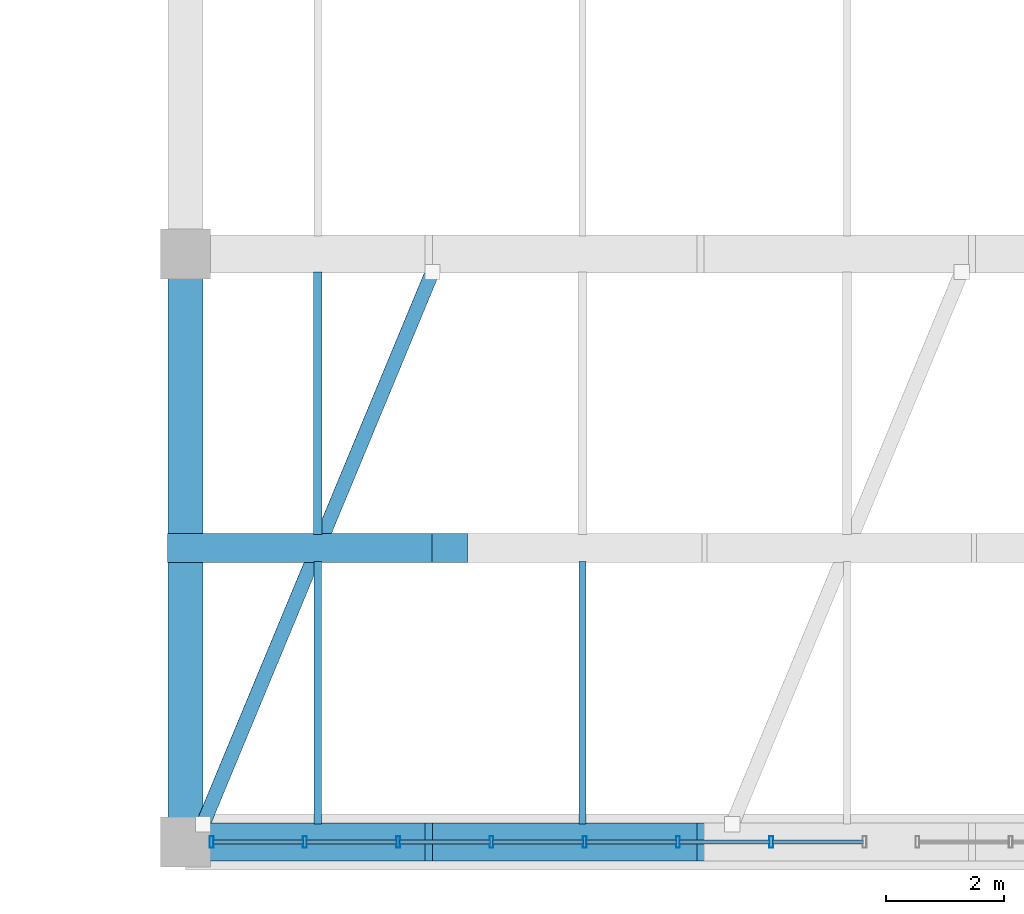
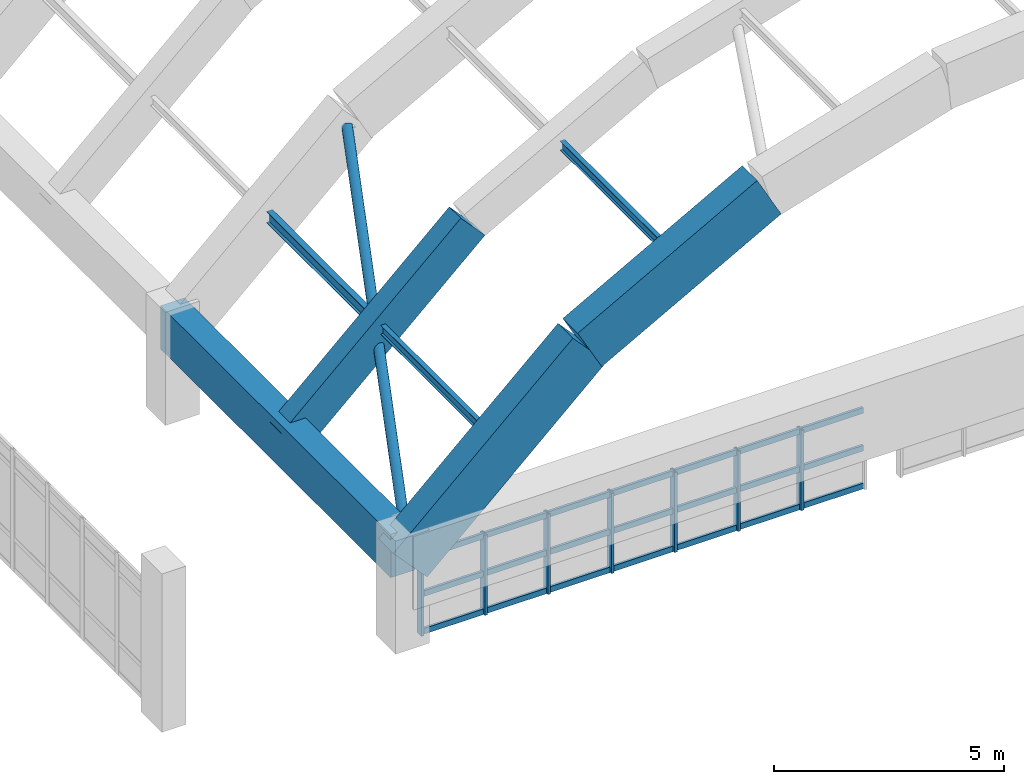
# One storey, part 61 of 111: 32 members, 4 beams, 1 element without a shape of its own.
"""IFC4 building model written with IfcOpenShell, lengths in metres."""

from ifc_helpers import new_model, si_unit, direction, frame, origin, origin_2d, place, context, subcontext, project, spatial, rectangle, hollow_rectangle, hollow_circle, i_section, extrude, material, layer, layer_set, material_profile, profile_set, type_object, element, aggregate, save


model = new_model("IFC4")

# Units and contexts
model_context = context("Model", 3, precision=1e-05, world=origin(), true_north=direction((0.0, 1.0)))
body_context = subcontext(model_context, "Body", "Model", "MODEL_VIEW")
ifc_project = project(units=[si_unit("LENGTHUNIT", "METRE"), si_unit("AREAUNIT", "SQUARE_METRE"), si_unit("VOLUMEUNIT", "CUBIC_METRE"), si_unit("PLANEANGLEUNIT", "RADIAN"), si_unit("MASSUNIT", "GRAM", prefix="KILO")], contexts=[model_context])

# Site, building, storey
site_placement = place(None, origin())
site = spatial("IfcSite", under=ifc_project, at=site_placement, CompositionType="ELEMENT")
building_placement = place(site_placement, origin())
building = spatial("IfcBuilding", under=site, at=building_placement, Name="Mersad Railyard Sports Hall", CompositionType="ELEMENT")
storey_placement = place(building_placement, frame((0.0, 0.0, 9.0)))
storey = spatial("IfcBuildingStorey", under=building, at=storey_placement, Name="L02", CompositionType="ELEMENT", Elevation=9.0)

# Curtain wall, members
ifc_material_1 = material(Name="Aluminium 6063-T6", Category="aluminium")
ifc_layer = layer(ifc_material_1, 0.199951171875)
ifc_layer_set = layer_set([ifc_layer], Name="Aluminium 6063-T6")
curtain_wall_type = type_object("IfcCurtainWallType", Name="ARC-CW-CW11", PredefinedType="USERDEFINED", material=ifc_layer_set)
curtain_wall_placement = place(storey_placement, origin())
curtain_wall = element("IfcCurtainWall", 1, at=curtain_wall_placement, inside=storey, type_object=curtain_wall_type, Name="Curtain wall CW11-0038", ObjectType="CURTAIN WALL", PredefinedType="USERDEFINED")
ifc_material_profile_1 = material_profile(ifc_material_1, hollow_rectangle(XDim=0.06494140625, YDim=0.199951171875, WallThickness=0.0048828125, at=origin_2d()), Name="AL MULLION 65x200x5")
ifc_profile_set_1 = profile_set([ifc_material_profile_1], Name="Aluminium 6063-T6")
member_type_1 = type_object("IfcMemberType", Name="ARC-CW-MUL02", PredefinedType="MULLION", material=ifc_profile_set_1)
member_1_placement = place(storey_placement, frame((146.963623046875, 3.5, -0.02001953125), z_axis=(0.0, 0.0, 1.0), x_axis=(1.0, 0.0, 0.0)))
member_1 = element("IfcMember", 2, at=member_1_placement, type_object=member_type_1, Name="CW11 Mullion 2", PredefinedType="MULLION", context=body_context, shape_type="SweptSolid", body=[
    extrude(hollow_rectangle(XDim=0.06494140625, YDim=0.199951171875, WallThickness=0.0048828125, at=origin_2d()), origin(), (0.0, 0.0, 1.0), 2.1201171875),
])
member_2_placement = place(storey_placement, frame((145.377197265625, 3.5, -0.02001953125), z_axis=(0.0, 0.0, 1.0), x_axis=(1.0, 0.0, 0.0)))
member_2 = element("IfcMember", 3, at=member_2_placement, type_object=member_type_1, Name="CW11 Mullion 3", PredefinedType="MULLION", context=body_context, shape_type="SweptSolid", body=[
    extrude(hollow_rectangle(XDim=0.06494140625, YDim=0.199951171875, WallThickness=0.0048828125, at=origin_2d()), origin(), (0.0, 0.0, 1.0), 2.1201171875),
])
member_3_placement = place(storey_placement, frame((143.790771484375, 3.5, -0.02001953125), z_axis=(0.0, 0.0, 1.0), x_axis=(1.0, 0.0, 0.0)))
member_3 = element("IfcMember", 4, at=member_3_placement, type_object=member_type_1, Name="CW11 Mullion 4", PredefinedType="MULLION", context=body_context, shape_type="SweptSolid", body=[
    extrude(hollow_rectangle(XDim=0.06494140625, YDim=0.199951171875, WallThickness=0.0048828125, at=origin_2d()), origin(), (0.0, 0.0, 1.0), 2.1201171875),
])
member_4_placement = place(storey_placement, frame((142.204345703125, 3.5, -0.02001953125), z_axis=(0.0, 0.0, 1.0), x_axis=(1.0, 0.0, 0.0)))
member_4 = element("IfcMember", 5, at=member_4_placement, type_object=member_type_1, Name="CW11 Mullion 5", PredefinedType="MULLION", context=body_context, shape_type="SweptSolid", body=[
    extrude(hollow_rectangle(XDim=0.06494140625, YDim=0.199951171875, WallThickness=0.0048828125, at=origin_2d()), origin(), (0.0, 0.0, 1.0), 2.1201171875),
])
member_5_placement = place(storey_placement, frame((140.617919921875, 3.5, -0.02001953125), z_axis=(0.0, 0.0, 1.0), x_axis=(1.0, 0.0, 0.0)))
member_5 = element("IfcMember", 6, at=member_5_placement, type_object=member_type_1, Name="CW11 Mullion 6", PredefinedType="MULLION", context=body_context, shape_type="SweptSolid", body=[
    extrude(hollow_rectangle(XDim=0.06494140625, YDim=0.199951171875, WallThickness=0.0048828125, at=origin_2d()), origin(), (0.0, 0.0, 1.0), 2.1201171875),
])
member_6_placement = place(storey_placement, frame((139.031494140625, 3.5, -0.02001953125), z_axis=(0.0, 0.0, 1.0), x_axis=(1.0, 0.0, 0.0)))
member_6 = element("IfcMember", 7, at=member_6_placement, type_object=member_type_1, Name="CW11 Mullion 7", PredefinedType="MULLION", context=body_context, shape_type="SweptSolid", body=[
    extrude(hollow_rectangle(XDim=0.06494140625, YDim=0.199951171875, WallThickness=0.0048828125, at=origin_2d()), origin(), (0.0, 0.0, 1.0), 2.1201171875),
])
member_7_placement = place(storey_placement, frame((137.445068359375, 3.5, -0.02001953125), z_axis=(0.0, 0.0, 1.0), x_axis=(1.0, 0.0, 0.0)))
member_7 = element("IfcMember", 8, at=member_7_placement, type_object=member_type_1, Name="CW11 Mullion 8", PredefinedType="MULLION", context=body_context, shape_type="SweptSolid", body=[
    extrude(hollow_rectangle(XDim=0.06494140625, YDim=0.199951171875, WallThickness=0.0048828125, at=origin_2d()), origin(), (0.0, 0.0, 1.0), 2.1201171875),
])
ifc_material_profile_2 = material_profile(ifc_material_1, hollow_rectangle(XDim=0.06494140625, YDim=0.14990234375, WallThickness=0.00439453125, at=origin_2d()), Name="AL TRANSOM 65x150x4.5")
ifc_profile_set_2 = profile_set([ifc_material_profile_2], Name="Aluminium 6063-T6")
member_type_2 = type_object("IfcMemberType", Name="ARC-CW-TRN02", PredefinedType="USERDEFINED", material=ifc_profile_set_2)
member_8_placement = place(storey_placement, frame((148.530029296875, 3.5, 0.0400390625), z_axis=(-1.0, 0.0, 0.0), x_axis=(0.0, -1.0, 0.0)))
member_8 = element("IfcMember", 9, at=member_8_placement, type_object=member_type_2, Name="CW11 Transom 1-1", ObjectType="TRANSOM", PredefinedType="USERDEFINED", context=body_context, shape_type="SweptSolid", body=[
    extrude(hollow_rectangle(XDim=0.06494140625, YDim=0.14990234375, WallThickness=0.00439453125, at=origin_2d()), origin(), (0.0, 0.0, 1.0), 1.54638671875),
])
member_9_placement = place(storey_placement, frame((146.943603515625, 3.5, 0.0400390625), z_axis=(-1.0, 0.0, 0.0), x_axis=(0.0, -1.0, 0.0)))
member_9 = element("IfcMember", 10, at=member_9_placement, type_object=member_type_2, Name="CW11 Transom 1-2", ObjectType="TRANSOM", PredefinedType="USERDEFINED", context=body_context, shape_type="SweptSolid", body=[
    extrude(hollow_rectangle(XDim=0.06494140625, YDim=0.14990234375, WallThickness=0.00439453125, at=origin_2d()), origin(), (0.0, 0.0, 1.0), 1.54638671875),
])
member_10_placement = place(storey_placement, frame((145.357177734375, 3.5, 0.0400390625), z_axis=(-1.0, 0.0, 0.0), x_axis=(0.0, -1.0, 0.0)))
member_10 = element("IfcMember", 11, at=member_10_placement, type_object=member_type_2, Name="CW11 Transom 1-3", ObjectType="TRANSOM", PredefinedType="USERDEFINED", context=body_context, shape_type="SweptSolid", body=[
    extrude(hollow_rectangle(XDim=0.06494140625, YDim=0.14990234375, WallThickness=0.00439453125, at=origin_2d()), origin(), (0.0, 0.0, 1.0), 1.54638671875),
])
member_11_placement = place(storey_placement, frame((143.770751953125, 3.5, 0.0400390625), z_axis=(-1.0, 0.0, 0.0), x_axis=(0.0, -1.0, 0.0)))
member_11 = element("IfcMember", 12, at=member_11_placement, type_object=member_type_2, Name="CW11 Transom 1-4", ObjectType="TRANSOM", PredefinedType="USERDEFINED", context=body_context, shape_type="SweptSolid", body=[
    extrude(hollow_rectangle(XDim=0.06494140625, YDim=0.14990234375, WallThickness=0.00439453125, at=origin_2d()), origin(), (0.0, 0.0, 1.0), 1.54638671875),
])
member_12_placement = place(storey_placement, frame((142.184326171875, 3.5, 0.0400390625), z_axis=(-1.0, 0.0, 0.0), x_axis=(0.0, -1.0, 0.0)))
member_12 = element("IfcMember", 13, at=member_12_placement, type_object=member_type_2, Name="CW11 Transom 1-5", ObjectType="TRANSOM", PredefinedType="USERDEFINED", context=body_context, shape_type="SweptSolid", body=[
    extrude(hollow_rectangle(XDim=0.06494140625, YDim=0.14990234375, WallThickness=0.00439453125, at=origin_2d()), origin(), (0.0, 0.0, 1.0), 1.54638671875),
])
member_13_placement = place(storey_placement, frame((140.597900390625, 3.5, 0.0400390625), z_axis=(-1.0, 0.0, 0.0), x_axis=(0.0, -1.0, 0.0)))
member_13 = element("IfcMember", 14, at=member_13_placement, type_object=member_type_2, Name="CW11 Transom 1-6", ObjectType="TRANSOM", PredefinedType="USERDEFINED", context=body_context, shape_type="SweptSolid", body=[
    extrude(hollow_rectangle(XDim=0.06494140625, YDim=0.14990234375, WallThickness=0.00439453125, at=origin_2d()), origin(), (0.0, 0.0, 1.0), 1.54638671875),
])
member_14_placement = place(storey_placement, frame((139.011474609375, 3.5, 0.0400390625), z_axis=(-1.0, 0.0, 0.0), x_axis=(0.0, -1.0, 0.0)))
member_14 = element("IfcMember", 15, at=member_14_placement, type_object=member_type_2, Name="CW11 Transom 1-7", ObjectType="TRANSOM", PredefinedType="USERDEFINED", context=body_context, shape_type="SweptSolid", body=[
    extrude(hollow_rectangle(XDim=0.06494140625, YDim=0.14990234375, WallThickness=0.00439453125, at=origin_2d()), origin(), (0.0, 0.0, 1.0), 1.54638671875),
])
member_15_placement = place(storey_placement, frame((148.530029296875, 3.5, 1.0400390625), z_axis=(-1.0, 0.0, 0.0), x_axis=(0.0, -1.0, 0.0)))
member_15 = element("IfcMember", 16, at=member_15_placement, type_object=member_type_2, Name="CW11 Transom 2-1", ObjectType="TRANSOM", PredefinedType="USERDEFINED", context=body_context, shape_type="SweptSolid", body=[
    extrude(hollow_rectangle(XDim=0.06494140625, YDim=0.14990234375, WallThickness=0.00439453125, at=origin_2d()), origin(), (0.0, 0.0, 1.0), 1.54638671875),
])
member_16_placement = place(storey_placement, frame((146.943603515625, 3.5, 1.0400390625), z_axis=(-1.0, 0.0, 0.0), x_axis=(0.0, -1.0, 0.0)))
member_16 = element("IfcMember", 17, at=member_16_placement, type_object=member_type_2, Name="CW11 Transom 2-2", ObjectType="TRANSOM", PredefinedType="USERDEFINED", context=body_context, shape_type="SweptSolid", body=[
    extrude(hollow_rectangle(XDim=0.06494140625, YDim=0.14990234375, WallThickness=0.00439453125, at=origin_2d()), origin(), (0.0, 0.0, 1.0), 1.54638671875),
])
member_17_placement = place(storey_placement, frame((145.357177734375, 3.5, 1.0400390625), z_axis=(-1.0, 0.0, 0.0), x_axis=(0.0, -1.0, 0.0)))
member_17 = element("IfcMember", 18, at=member_17_placement, type_object=member_type_2, Name="CW11 Transom 2-3", ObjectType="TRANSOM", PredefinedType="USERDEFINED", context=body_context, shape_type="SweptSolid", body=[
    extrude(hollow_rectangle(XDim=0.06494140625, YDim=0.14990234375, WallThickness=0.00439453125, at=origin_2d()), origin(), (0.0, 0.0, 1.0), 1.54638671875),
])
member_18_placement = place(storey_placement, frame((143.770751953125, 3.5, 1.0400390625), z_axis=(-1.0, 0.0, 0.0), x_axis=(0.0, -1.0, 0.0)))
member_18 = element("IfcMember", 19, at=member_18_placement, type_object=member_type_2, Name="CW11 Transom 2-4", ObjectType="TRANSOM", PredefinedType="USERDEFINED", context=body_context, shape_type="SweptSolid", body=[
    extrude(hollow_rectangle(XDim=0.06494140625, YDim=0.14990234375, WallThickness=0.00439453125, at=origin_2d()), origin(), (0.0, 0.0, 1.0), 1.54638671875),
])
member_19_placement = place(storey_placement, frame((142.184326171875, 3.5, 1.0400390625), z_axis=(-1.0, 0.0, 0.0), x_axis=(0.0, -1.0, 0.0)))
member_19 = element("IfcMember", 20, at=member_19_placement, type_object=member_type_2, Name="CW11 Transom 2-5", ObjectType="TRANSOM", PredefinedType="USERDEFINED", context=body_context, shape_type="SweptSolid", body=[
    extrude(hollow_rectangle(XDim=0.06494140625, YDim=0.14990234375, WallThickness=0.00439453125, at=origin_2d()), origin(), (0.0, 0.0, 1.0), 1.54638671875),
])
member_20_placement = place(storey_placement, frame((140.597900390625, 3.5, 1.0400390625), z_axis=(-1.0, 0.0, 0.0), x_axis=(0.0, -1.0, 0.0)))
member_20 = element("IfcMember", 21, at=member_20_placement, type_object=member_type_2, Name="CW11 Transom 2-6", ObjectType="TRANSOM", PredefinedType="USERDEFINED", context=body_context, shape_type="SweptSolid", body=[
    extrude(hollow_rectangle(XDim=0.06494140625, YDim=0.14990234375, WallThickness=0.00439453125, at=origin_2d()), origin(), (0.0, 0.0, 1.0), 1.54638671875),
])
member_21_placement = place(storey_placement, frame((139.011474609375, 3.5, 1.0400390625), z_axis=(-1.0, 0.0, 0.0), x_axis=(0.0, -1.0, 0.0)))
member_21 = element("IfcMember", 22, at=member_21_placement, type_object=member_type_2, Name="CW11 Transom 2-7", ObjectType="TRANSOM", PredefinedType="USERDEFINED", context=body_context, shape_type="SweptSolid", body=[
    extrude(hollow_rectangle(XDim=0.06494140625, YDim=0.14990234375, WallThickness=0.00439453125, at=origin_2d()), origin(), (0.0, 0.0, 1.0), 1.54638671875),
])
member_22_placement = place(storey_placement, frame((148.530029296875, 3.5, 2.0400390625), z_axis=(-1.0, 0.0, 0.0), x_axis=(0.0, -1.0, 0.0)))
member_22 = element("IfcMember", 23, at=member_22_placement, type_object=member_type_2, Name="CW11 Transom 3-1", ObjectType="TRANSOM", PredefinedType="USERDEFINED", context=body_context, shape_type="SweptSolid", body=[
    extrude(hollow_rectangle(XDim=0.06494140625, YDim=0.14990234375, WallThickness=0.00439453125, at=origin_2d()), origin(), (0.0, 0.0, 1.0), 1.54638671875),
])
member_23_placement = place(storey_placement, frame((146.943603515625, 3.5, 2.0400390625), z_axis=(-1.0, 0.0, 0.0), x_axis=(0.0, -1.0, 0.0)))
member_23 = element("IfcMember", 24, at=member_23_placement, type_object=member_type_2, Name="CW11 Transom 3-2", ObjectType="TRANSOM", PredefinedType="USERDEFINED", context=body_context, shape_type="SweptSolid", body=[
    extrude(hollow_rectangle(XDim=0.06494140625, YDim=0.14990234375, WallThickness=0.00439453125, at=origin_2d()), origin(), (0.0, 0.0, 1.0), 1.54638671875),
])
member_24_placement = place(storey_placement, frame((145.357177734375, 3.5, 2.0400390625), z_axis=(-1.0, 0.0, 0.0), x_axis=(0.0, -1.0, 0.0)))
member_24 = element("IfcMember", 25, at=member_24_placement, type_object=member_type_2, Name="CW11 Transom 3-3", ObjectType="TRANSOM", PredefinedType="USERDEFINED", context=body_context, shape_type="SweptSolid", body=[
    extrude(hollow_rectangle(XDim=0.06494140625, YDim=0.14990234375, WallThickness=0.00439453125, at=origin_2d()), origin(), (0.0, 0.0, 1.0), 1.54638671875),
])
member_25_placement = place(storey_placement, frame((143.770751953125, 3.5, 2.0400390625), z_axis=(-1.0, 0.0, 0.0), x_axis=(0.0, -1.0, 0.0)))
member_25 = element("IfcMember", 26, at=member_25_placement, type_object=member_type_2, Name="CW11 Transom 3-4", ObjectType="TRANSOM", PredefinedType="USERDEFINED", context=body_context, shape_type="SweptSolid", body=[
    extrude(hollow_rectangle(XDim=0.06494140625, YDim=0.14990234375, WallThickness=0.00439453125, at=origin_2d()), origin(), (0.0, 0.0, 1.0), 1.54638671875),
])
member_26_placement = place(storey_placement, frame((142.184326171875, 3.5, 2.0400390625), z_axis=(-1.0, 0.0, 0.0), x_axis=(0.0, -1.0, 0.0)))
member_26 = element("IfcMember", 27, at=member_26_placement, type_object=member_type_2, Name="CW11 Transom 3-5", ObjectType="TRANSOM", PredefinedType="USERDEFINED", context=body_context, shape_type="SweptSolid", body=[
    extrude(hollow_rectangle(XDim=0.06494140625, YDim=0.14990234375, WallThickness=0.00439453125, at=origin_2d()), origin(), (0.0, 0.0, 1.0), 1.54638671875),
])
member_27_placement = place(storey_placement, frame((140.597900390625, 3.5, 2.0400390625), z_axis=(-1.0, 0.0, 0.0), x_axis=(0.0, -1.0, 0.0)))
member_27 = element("IfcMember", 28, at=member_27_placement, type_object=member_type_2, Name="CW11 Transom 3-6", ObjectType="TRANSOM", PredefinedType="USERDEFINED", context=body_context, shape_type="SweptSolid", body=[
    extrude(hollow_rectangle(XDim=0.06494140625, YDim=0.14990234375, WallThickness=0.00439453125, at=origin_2d()), origin(), (0.0, 0.0, 1.0), 1.54638671875),
])
member_28_placement = place(storey_placement, frame((139.011474609375, 3.5, 2.0400390625), z_axis=(-1.0, 0.0, 0.0), x_axis=(0.0, -1.0, 0.0)))
member_28 = element("IfcMember", 29, at=member_28_placement, type_object=member_type_2, Name="CW11 Transom 3-7", ObjectType="TRANSOM", PredefinedType="USERDEFINED", context=body_context, shape_type="SweptSolid", body=[
    extrude(hollow_rectangle(XDim=0.06494140625, YDim=0.14990234375, WallThickness=0.00439453125, at=origin_2d()), origin(), (0.0, 0.0, 1.0), 1.54638671875),
])
aggregate(curtain_wall, [member_1, member_2, member_3, member_4, member_5, member_6, member_7, member_8, member_9, member_10, member_11, member_12, member_13, member_14, member_15, member_16, member_17, member_18, member_19, member_20, member_21, member_22, member_23, member_24, member_25, member_26, member_27, member_28])

# Beams
ifc_material_2 = material(Name="Concrete C50/60", Category="concrete")
ifc_material_profile_3 = material_profile(ifc_material_2, rectangle(XDim=0.60009765625, YDim=1.14990234375, at=origin_2d()), Name="RC 600x1150")
ifc_profile_set_3 = profile_set([ifc_material_profile_3], Name="Concrete C50/60")
beam_type_1 = type_object("IfcBeamType", Name="STR-BM-B05", PredefinedType="BEAM", material=ifc_profile_set_3)
beam_1_placement = place(storey_placement, frame((137.0, 3.5, 2.300048828125), z_axis=(0.0, 1.0, 0.0), x_axis=(-1.0, 0.0, 0.0)))
element("IfcBeam", 30, at=beam_1_placement, inside=storey, type_object=beam_type_1, Name="Beam B05-0705", PredefinedType="BEAM", context=body_context, shape_type="SweptSolid", body=[
    extrude(rectangle(XDim=0.60009765625, YDim=1.14990234375, at=origin_2d()), origin(), (0.0, 0.0, 1.0), 10.0),
])
ifc_material_3 = material(Name="Architectural concrete C50/60", Category="concrete")
ifc_material_profile_4 = material_profile(ifc_material_3, rectangle(XDim=0.64990234375, YDim=1.25, at=origin_2d()), Name="VR 650x1250")
ifc_profile_set_4 = profile_set([ifc_material_profile_4], Name="Architectural concrete C50/60")
beam_type_2 = type_object("IfcBeamType", Name="STR-BM-VR01", PredefinedType="BEAM", material=ifc_profile_set_4)
beam_2_placement = place(storey_placement, frame((137.0, 3.5, 2.14990234375), z_axis=(0.736556702909, 0.0, 0.676375800425), x_axis=(0.0, 1.0, 0.0)))
element("IfcBeam", 31, at=beam_2_placement, inside=storey, type_object=beam_type_2, Name="Beam VR01-0721", PredefinedType="BEAM", context=body_context, shape_type="SweptSolid", body=[
    extrude(rectangle(XDim=0.64990234375, YDim=1.25, at=origin_2d()), origin(), (0.0, 0.0, 1.0), 6.109619140625),
])
beam_3_placement = place(storey_placement, frame((141.5, 3.5, 6.2822265625), z_axis=(0.876227952683, 0.0, 0.48189685093), x_axis=(0.0, 1.0, 0.0)))
element("IfcBeam", 32, at=beam_3_placement, inside=storey, type_object=beam_type_2, Name="Beam VR01-0722", PredefinedType="BEAM", context=body_context, shape_type="SweptSolid", body=[
    extrude(rectangle(XDim=0.64990234375, YDim=1.25, at=origin_2d()), origin(), (0.0, 0.0, 1.0), 5.1357421875),
])
ifc_material_profile_5 = material_profile(ifc_material_3, rectangle(XDim=0.5, YDim=0.89990234375, at=origin_2d()), Name="VR 500x900")
ifc_profile_set_5 = profile_set([ifc_material_profile_5], Name="Architectural concrete C50/60")
beam_type_3 = type_object("IfcBeamType", Name="STR-BM-VR02", PredefinedType="BEAM", material=ifc_profile_set_5)
beam_4_placement = place(storey_placement, frame((137.0, 8.5, 2.340087890625), z_axis=(0.736576611143, 0.0, 0.676354120204), x_axis=(0.0, 1.0, 0.0)))
element("IfcBeam", 33, at=beam_4_placement, inside=storey, type_object=beam_type_3, Name="Beam VR02-0729", PredefinedType="BEAM", context=body_context, shape_type="SweptSolid", body=[
    extrude(rectangle(XDim=0.5, YDim=0.89990234375, at=origin_2d()), origin(), (0.0, 0.0, 1.0), 6.109375),
])

# Members
ifc_material_4 = material(Name="Steel S355", Category="steel")
ifc_material_profile_6 = material_profile(ifc_material_4, hollow_circle(Radius=0.122314453125, WallThickness=0.012451171875, at=origin_2d()), Name="CHS 244.5x12.5")
ifc_profile_set_6 = profile_set([ifc_material_profile_6], Name="Steel S355")
member_type_3 = type_object("IfcMemberType", Name="STR-MEM-BR01", PredefinedType="BRACE", material=ifc_profile_set_6)
member_29_placement = place(storey_placement, frame((137.300048828125, 3.804931640625, 2.1201171875), z_axis=(0.355333311329, 0.855567160406, 0.376487811083), x_axis=(-0.923518176545, 0.383554660499, 0.0)))
element("IfcMember", 34, at=member_29_placement, inside=storey, type_object=member_type_3, Name="Structural member BR01-0110", PredefinedType="BRACE", context=body_context, shape_type="SweptSolid", body=[
    extrude(hollow_circle(Radius=0.122314453125, WallThickness=0.012451171875, at=origin_2d()), origin(), (0.0, 0.0, 1.0), 10.975341796875),
])
ifc_material_profile_7 = material_profile(ifc_material_4, i_section(OverallWidth=0.1201171875, OverallDepth=0.239990234375, WebThickness=0.006103515625, FlangeThickness=0.009765625, at=origin_2d()), Name="IPE 240")
ifc_profile_set_7 = profile_set([ifc_material_profile_7], Name="Steel S355")
member_type_4 = type_object("IfcMemberType", Name="STR-MEM-PU01", PredefinedType="PURLIN", material=ifc_profile_set_7)
for number, where, z_axis, x_axis, name in (
    (35, (139.25, 3.804931640625, 4.546142578125), (0.0, 1.0, 0.0), (-1.0, 0.0, 0.0), "Structural member PU01-0094"),
    (36, (143.75, 3.804931640625, 7.849609375), (0.0, 1.0, 0.0), (-1.0, 0.0, 0.0), "Structural member PU01-0096"),
):
    element("IfcMember", number, at=place(storey_placement, frame(where, z_axis=z_axis, x_axis=x_axis)), inside=storey, type_object=member_type_4, Name=name, PredefinedType="PURLIN", context=body_context, shape_type="SweptSolid", body=[
        extrude(i_section(OverallWidth=0.1201171875, OverallDepth=0.239990234375, WebThickness=0.006103515625, FlangeThickness=0.009765625, at=origin_2d()), origin(), (0.0, 0.0, 1.0), 4.465087890625),
    ])
ifc_material_profile_8 = material_profile(ifc_material_4, i_section(OverallWidth=0.14990234375, OverallDepth=0.300048828125, WebThickness=0.007080078125, FlangeThickness=0.0107421875, at=origin_2d()), Name="IPE 300")
ifc_profile_set_8 = profile_set([ifc_material_profile_8], Name="Steel S355")
member_type_5 = type_object("IfcMemberType", Name="STR-MEM-PU02", PredefinedType="PURLIN", material=ifc_profile_set_8)
member_30_placement = place(storey_placement, frame((139.25, 8.72998046875, 4.546142578125), z_axis=(0.0, 1.0, 0.0), x_axis=(-1.0, 0.0, 0.0)))
element("IfcMember", 37, at=member_30_placement, inside=storey, type_object=member_type_5, Name="Structural member PU02-0095", PredefinedType="PURLIN", context=body_context, shape_type="SweptSolid", body=[
    extrude(i_section(OverallWidth=0.14990234375, OverallDepth=0.300048828125, WebThickness=0.007080078125, FlangeThickness=0.0107421875, at=origin_2d()), origin(), (0.0, 0.0, 1.0), 4.465087890625),
])

save(model, "model.ifc")
